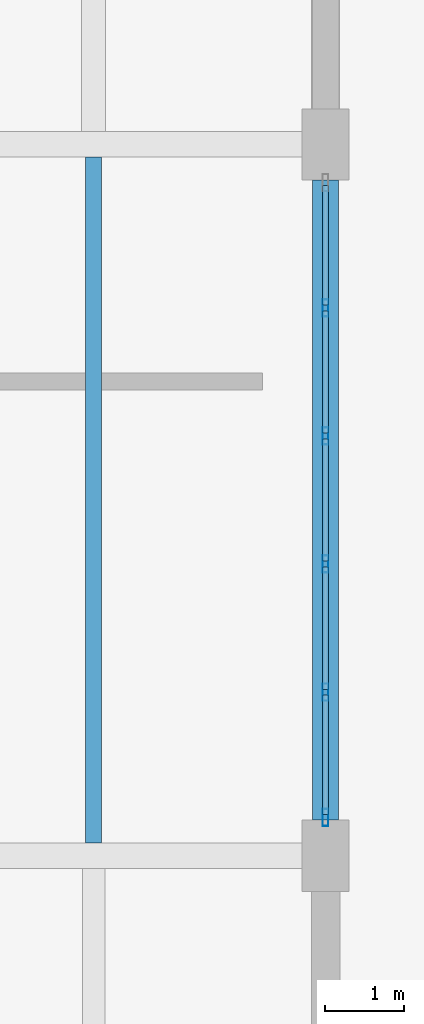
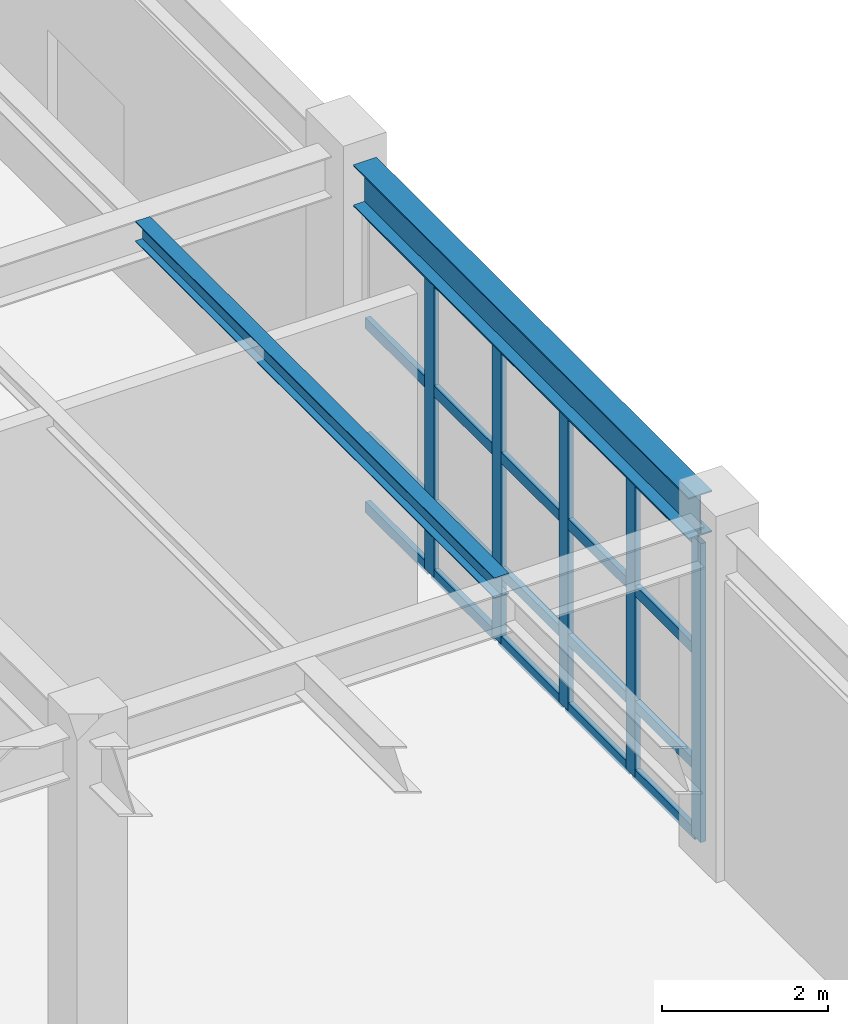
# One storey, part 52 of 91: 25 members, 2 beams, 1 element without a shape of its own.
"""IFC4 building model written with IfcOpenShell, lengths in metres."""

import ifcopenshell
import ifcopenshell.guid

model = None  # the IFC model being written
_history = None  # IfcOwnerHistory: only IFC2X3 demands one
_inside = {}  # id of a spatial element -> (the spatial element, [elements in it])
_under = {}  # id of a project, library or spatial element -> (it, [spatial elements below it])
_declared = {}  # id of a project -> (the project, [libraries it declares])
_typed = {}  # id of a type object -> (the type object, [elements of that type])
_made_of = {}  # id of a material, layer set ... -> (it, [elements and type objects made of it])


def new_model(schema):
    """Start an empty IFC model of exactly this schema.

    Asked for "IFC4X3", IfcOpenShell would pick the latest addendum, in which some entities
    have other attributes; the version numbers below select the first issue.
    IFC2X3 requires an IfcOwnerHistory on every rooted entity: one is made here for all.
    """
    global model, _history
    if schema == "IFC4X3":
        model = ifcopenshell.file(schema_version=(4, 3, 0, 0))
    else:
        model = ifcopenshell.file(schema=schema)
    _inside.clear()
    _under.clear()
    _declared.clear()
    _typed.clear()
    _made_of.clear()
    _history = None
    if model.schema == "IFC2X3":
        org = make("IfcOrganization", Name="unknown")
        user = make(
            "IfcPersonAndOrganization",
            ThePerson=make("IfcPerson", FamilyName="unknown"),
            TheOrganization=org,
        )
        app = make(
            "IfcApplication",
            ApplicationDeveloper=org,
            Version="unknown",
            ApplicationFullName="unknown",
            ApplicationIdentifier="unknown",
        )
        _history = make(
            "IfcOwnerHistory",
            OwningUser=user,
            OwningApplication=app,
            ChangeAction="ADDED",
            CreationDate=0,
        )
    return model


def make(cls, **values):
    """One entity of the class cls with the attributes given. An attribute that is None is left unset."""
    return model.create_entity(
        cls, **{name: value for name, value in values.items() if value is not None}
    )


def rooted(cls, **values):
    """An entity with a GlobalId (a new one), such as an element, a storey or a relation."""
    return make(cls, GlobalId=ifcopenshell.guid.new(), OwnerHistory=_history, **values)


def si_unit(unit_type, name, prefix=None):
    """IfcSIUnit, for example si_unit("LENGTHUNIT", "METRE", prefix="MILLI")."""
    return make("IfcSIUnit", UnitType=unit_type, Prefix=prefix, Name=name)


def assignment(units):
    """IfcUnitAssignment: the units of a project."""
    return None if units is None else make("IfcUnitAssignment", Units=units)


def point(xyz):
    """IfcCartesianPoint."""
    return None if xyz is None else make("IfcCartesianPoint", Coordinates=xyz)


def direction(xyz):
    """IfcDirection."""
    return None if xyz is None else make("IfcDirection", DirectionRatios=xyz)


def frame(location, z_axis=None, x_axis=None):
    """IfcAxis2Placement3D, a coordinate frame: its origin and axes. An axis left out is left unset."""
    return make(
        "IfcAxis2Placement3D",
        Location=point(location),
        Axis=direction(z_axis),
        RefDirection=direction(x_axis),
    )


def frame_2d(location, x_axis=None):
    """IfcAxis2Placement2D, a coordinate frame in the plane: its origin and x axis."""
    return make(
        "IfcAxis2Placement2D", Location=point(location), RefDirection=direction(x_axis)
    )


def origin():
    """The frame at (0, 0, 0) with its axes left unset."""
    return frame((0.0, 0.0, 0.0))


def origin_2d():
    """The frame at (0, 0) in the plane with its x axis left unset."""
    return frame_2d((0.0, 0.0))


def place(relative_to, where):
    """IfcLocalPlacement: puts the frame where relative to a parent placement (None: the world)."""
    return make(
        "IfcLocalPlacement", PlacementRelTo=relative_to, RelativePlacement=where
    )


def context(
    kind, dimensions, precision=None, world=None, true_north=None, identifier=None
):
    """IfcGeometricRepresentationContext, for example the 3D "Model" context."""
    return make(
        "IfcGeometricRepresentationContext",
        ContextIdentifier=identifier,
        ContextType=kind,
        CoordinateSpaceDimension=dimensions,
        Precision=precision,
        WorldCoordinateSystem=world,
        TrueNorth=true_north,
    )


def subcontext(parent, identifier, kind, view, scale=None):
    """IfcGeometricRepresentationSubContext, for example "Body" below "Model"."""
    return make(
        "IfcGeometricRepresentationSubContext",
        ContextIdentifier=identifier,
        ContextType=kind,
        ParentContext=parent,
        TargetScale=scale,
        TargetView=view,
    )


def project(units=None, contexts=None):
    """IfcProject with its units and contexts."""
    return rooted(
        "IfcProject",
        Name="project",
        RepresentationContexts=contexts,
        UnitsInContext=assignment(units),
    )


def spatial(cls, under=None, at=None, **own):
    """A site, building, storey or space (cls), placed at a placement, below another one or the project."""
    s = rooted(cls, ObjectPlacement=at, **own)
    if under is not None:
        _under.setdefault(under.id(), (under, []))[1].append(s)
    return s


def profile(cls, at=None, kind="AREA", **sizes):
    """A parametric profile (cls). Its sizes go by their IFC names, for example OverallWidth=200.0."""
    return make(cls, ProfileType=kind, Position=at, **sizes)


def hollow_rectangle(**sizes):
    """IfcRectangleHollowProfileDef."""
    return profile("IfcRectangleHollowProfileDef", **sizes)


def i_section(**sizes):
    """IfcIShapeProfileDef."""
    return profile("IfcIShapeProfileDef", **sizes)


def extrude(swept, where, along, depth):
    """IfcExtrudedAreaSolid: the profile swept, set in the frame where, extruded along a direction by depth."""
    return make(
        "IfcExtrudedAreaSolid",
        SweptArea=swept,
        Position=where,
        ExtrudedDirection=direction(along),
        Depth=depth,
    )


def shape(context_of_items, identifier, shape_type, items):
    """IfcShapeRepresentation: the items that make up one representation, for example the "Body"."""
    return make(
        "IfcShapeRepresentation",
        ContextOfItems=context_of_items,
        RepresentationIdentifier=identifier,
        RepresentationType=shape_type,
        Items=items,
    )


def material(Name=None, Category=None):
    """IfcMaterial."""
    return make("IfcMaterial", Name=Name, Category=Category)


def layer(
    of_material, thickness, ventilated=None, Name=None, Category=None, Priority=None
):
    """IfcMaterialLayer: one layer of a wall or slab, of a material (None: an air gap)."""
    return make(
        "IfcMaterialLayer",
        Material=of_material,
        LayerThickness=thickness,
        IsVentilated=ventilated,
        Name=Name,
        Category=Category,
        Priority=Priority,
    )


def layer_set(layers, Name=None):
    """IfcMaterialLayerSet."""
    return make("IfcMaterialLayerSet", MaterialLayers=layers, LayerSetName=Name)


def material_profile(
    of_material, cross_section, Name=None, Category=None, Priority=None
):
    """IfcMaterialProfile: a cross section and its material."""
    return make(
        "IfcMaterialProfile",
        Name=Name,
        Material=of_material,
        Profile=cross_section,
        Priority=Priority,
        Category=Category,
    )


def profile_set(profiles, Name=None, composite=None):
    """IfcMaterialProfileSet."""
    return make(
        "IfcMaterialProfileSet",
        Name=Name,
        MaterialProfiles=profiles,
        CompositeProfile=composite,
    )


def made_of(thing, what):
    """Note that an element or type object is made of a material, layer set ...; save() writes the relation."""
    if what is not None:
        _made_of.setdefault(what.id(), (what, []))[1].append(thing)
    return thing


def type_object(cls, material=None, **own):
    """A type object (cls), such as IfcWallType, which elements share."""
    return made_of(rooted(cls, **own), material)


def element(
    cls,
    number,
    at=None,
    inside=None,
    cuts=None,
    type_object=None,
    material=None,
    context=None,
    identifier="Body",
    shape_type=None,
    held_by="IfcProductDefinitionShape",
    body=None,
    shapes=None,
    **own,
):
    """One element of the class cls, such as IfcWall. Its Tag is "e" and its number.

    at: its placement. inside: the storey or other place that contains it. cuts: it is an
    opening in that element (IfcRelVoidsElement). A single representation is given by context,
    identifier, shape_type and body (its items); several are given by shapes. held_by: the class
    of the entity that holds the representations. save() writes the other relations.
    """
    e = rooted(cls, Tag="e%d" % number, ObjectPlacement=at, **own)
    if body is not None:
        shapes = [shape(context, identifier, shape_type, body)]
    if shapes is not None:
        e.Representation = make(held_by, Representations=shapes)
    if inside is not None:
        _inside.setdefault(inside.id(), (inside, []))[1].append(e)
    if cuts is not None:
        rooted(
            "IfcRelVoidsElement", RelatingBuildingElement=cuts, RelatedOpeningElement=e
        )
    if type_object is not None:
        _typed.setdefault(type_object.id(), (type_object, []))[1].append(e)
    return made_of(e, material)


def aggregate(whole, parts):
    """IfcRelAggregates: a whole, such as a stair, and the parts it consists of."""
    return rooted("IfcRelAggregates", RelatingObject=whole, RelatedObjects=parts)


def save(model, path):
    """Write the relations noted so far, then the file.

    IfcRelAggregates (storeys below a building ...), IfcRelContainedInSpatialStructure (elements
    in a storey), IfcRelDefinesByType, IfcRelAssociatesMaterial and IfcRelDeclares: one each for
    every whole, place, type object, material and project.
    """
    for whole, parts in _under.values():
        aggregate(whole, parts)
    for where, things in _inside.values():
        rooted(
            "IfcRelContainedInSpatialStructure",
            RelatedElements=things,
            RelatingStructure=where,
        )
    for kind, things in _typed.values():
        rooted("IfcRelDefinesByType", RelatedObjects=things, RelatingType=kind)
    for what, things in _made_of.values():
        rooted("IfcRelAssociatesMaterial", RelatedObjects=things, RelatingMaterial=what)
    for by, libraries in _declared.values():
        rooted("IfcRelDeclares", RelatingContext=by, RelatedDefinitions=libraries)
    model.write(path)


model = new_model("IFC4")

# Units and contexts
model_context = context("Model", 3, precision=1e-05, world=origin(), true_north=direction((0.0, 1.0)))
body_context = subcontext(model_context, "Body", "Model", "MODEL_VIEW")
ifc_project = project(units=[si_unit("LENGTHUNIT", "METRE"), si_unit("AREAUNIT", "SQUARE_METRE"), si_unit("VOLUMEUNIT", "CUBIC_METRE"), si_unit("PLANEANGLEUNIT", "RADIAN"), si_unit("MASSUNIT", "GRAM", prefix="KILO")], contexts=[model_context])

# Site, building, storey
site_placement = place(None, origin())
site = spatial("IfcSite", under=ifc_project, at=site_placement, CompositionType="ELEMENT")
building_placement = place(site_placement, origin())
building = spatial("IfcBuilding", under=site, at=building_placement, Name="Vaelkrest Opera House", CompositionType="ELEMENT")
storey_placement = place(building_placement, origin())
storey = spatial("IfcBuildingStorey", under=building, at=storey_placement, Name="L00", CompositionType="ELEMENT", Elevation=0.0)

# Curtain wall, members
ifc_material_1 = material(Name="Dark bronze anodized aluminium", Category="aluminium")
ifc_layer = layer(ifc_material_1, 0.199951171875)
ifc_layer_set = layer_set([ifc_layer], Name="Dark bronze anodized aluminium")
curtain_wall_type = type_object("IfcCurtainWallType", Name="CW03", PredefinedType="NOTDEFINED", material=ifc_layer_set)
curtain_wall_placement = place(storey_placement, origin())
curtain_wall = element("IfcCurtainWall", 1, at=curtain_wall_placement, inside=storey, type_object=curtain_wall_type, Name="Curtain wall CW-L00-153", PredefinedType="NOTDEFINED")
ifc_material_profile_1 = material_profile(ifc_material_1, hollow_rectangle(XDim=0.074951171875, YDim=0.219970703125, WallThickness=0.00439453125, at=origin_2d()), Name="CWM75X220")
ifc_profile_set_1 = profile_set([ifc_material_profile_1], Name="Dark bronze anodized aluminium")
member_type_1 = type_object("IfcMemberType", Name="CWM03", PredefinedType="MULLION", material=ifc_profile_set_1)
member_1_placement = place(storey_placement, frame((86.39990234375, -21.868896484375, 0.0), z_axis=(0.0, 0.0, 1.0), x_axis=(1.0, 0.0, 0.0)))
member_1 = element("IfcMember", 2, at=member_1_placement, type_object=member_type_1, Name="CW03 mullion 2", PredefinedType="MULLION", context=body_context, shape_type="SweptSolid", body=[
    extrude(hollow_rectangle(XDim=0.074951171875, YDim=0.219970703125, WallThickness=0.00439453125, at=origin_2d()), origin(), (0.0, 0.0, 1.0), 4.404052734375),
])
member_2_placement = place(storey_placement, frame((86.39990234375, -23.489501953125, 0.0), z_axis=(0.0, 0.0, 1.0), x_axis=(1.0, 0.0, 0.0)))
member_2 = element("IfcMember", 3, at=member_2_placement, type_object=member_type_1, Name="CW03 mullion 3", PredefinedType="MULLION", context=body_context, shape_type="SweptSolid", body=[
    extrude(hollow_rectangle(XDim=0.074951171875, YDim=0.219970703125, WallThickness=0.00439453125, at=origin_2d()), origin(), (0.0, 0.0, 1.0), 4.404052734375),
])
member_3_placement = place(storey_placement, frame((86.39990234375, -25.1103515625, 0.0), z_axis=(0.0, 0.0, 1.0), x_axis=(1.0, 0.0, 0.0)))
member_3 = element("IfcMember", 4, at=member_3_placement, type_object=member_type_1, Name="CW03 mullion 4", PredefinedType="MULLION", context=body_context, shape_type="SweptSolid", body=[
    extrude(hollow_rectangle(XDim=0.074951171875, YDim=0.219970703125, WallThickness=0.00439453125, at=origin_2d()), origin(), (0.0, 0.0, 1.0), 4.404052734375),
])
member_4_placement = place(storey_placement, frame((86.39990234375, -26.731201171875, 0.0), z_axis=(0.0, 0.0, 1.0), x_axis=(1.0, 0.0, 0.0)))
member_4 = element("IfcMember", 5, at=member_4_placement, type_object=member_type_1, Name="CW03 mullion 5", PredefinedType="MULLION", context=body_context, shape_type="SweptSolid", body=[
    extrude(hollow_rectangle(XDim=0.074951171875, YDim=0.219970703125, WallThickness=0.00439453125, at=origin_2d()), origin(), (0.0, 0.0, 1.0), 4.404052734375),
])
member_5_placement = place(storey_placement, frame((86.39990234375, -28.314453125, 0.0), z_axis=(0.0, 0.0, 1.0), x_axis=(1.0, 0.0, 0.0)))
member_5 = element("IfcMember", 6, at=member_5_placement, type_object=member_type_1, Name="CW03 mullion 6", PredefinedType="MULLION", context=body_context, shape_type="SweptSolid", body=[
    extrude(hollow_rectangle(XDim=0.074951171875, YDim=0.219970703125, WallThickness=0.00439453125, at=origin_2d()), origin(), (0.0, 0.0, 1.0), 4.404052734375),
])
ifc_material_profile_2 = material_profile(ifc_material_1, hollow_rectangle(XDim=0.074951171875, YDim=0.159912109375, WallThickness=0.00439453125, at=origin_2d()), Name="CWT75X160")
ifc_profile_set_2 = profile_set([ifc_material_profile_2], Name="Dark bronze anodized aluminium")
member_type_2 = type_object("IfcMemberType", Name="CWT03", PredefinedType="USERDEFINED", material=ifc_profile_set_2)
member_6_placement = place(storey_placement, frame((86.39990234375, -20.322998046875, 0.03759765625), z_axis=(0.0, -1.0, 0.0), x_axis=(1.0, 0.0, 0.0)))
member_6 = element("IfcMember", 7, at=member_6_placement, type_object=member_type_2, Name="CW03 transom 1.1", ObjectType="TRANSOM", PredefinedType="USERDEFINED", context=body_context, shape_type="SweptSolid", body=[
    extrude(hollow_rectangle(XDim=0.074951171875, YDim=0.159912109375, WallThickness=0.00439453125, at=origin_2d()), origin(), (0.0, 0.0, 1.0), 1.50830078125),
])
member_7_placement = place(storey_placement, frame((86.39990234375, -20.322998046875, 1.050048828125), z_axis=(0.0, -1.0, 0.0), x_axis=(1.0, 0.0, 0.0)))
member_7 = element("IfcMember", 8, at=member_7_placement, type_object=member_type_2, Name="CW03 transom 1.2", ObjectType="TRANSOM", PredefinedType="USERDEFINED", context=body_context, shape_type="SweptSolid", body=[
    extrude(hollow_rectangle(XDim=0.074951171875, YDim=0.159912109375, WallThickness=0.00439453125, at=origin_2d()), origin(), (0.0, 0.0, 1.0), 1.50830078125),
])
member_8_placement = place(storey_placement, frame((86.39990234375, -20.322998046875, 2.75), z_axis=(0.0, -1.0, 0.0), x_axis=(1.0, 0.0, 0.0)))
member_8 = element("IfcMember", 9, at=member_8_placement, type_object=member_type_2, Name="CW03 transom 1.3", ObjectType="TRANSOM", PredefinedType="USERDEFINED", context=body_context, shape_type="SweptSolid", body=[
    extrude(hollow_rectangle(XDim=0.074951171875, YDim=0.159912109375, WallThickness=0.00439453125, at=origin_2d()), origin(), (0.0, 0.0, 1.0), 1.50830078125),
])
member_9_placement = place(storey_placement, frame((86.39990234375, -20.322998046875, 4.366455078125), z_axis=(0.0, -1.0, 0.0), x_axis=(1.0, 0.0, 0.0)))
member_9 = element("IfcMember", 10, at=member_9_placement, type_object=member_type_2, Name="CW03 transom 1.4", ObjectType="TRANSOM", PredefinedType="USERDEFINED", context=body_context, shape_type="SweptSolid", body=[
    extrude(hollow_rectangle(XDim=0.074951171875, YDim=0.159912109375, WallThickness=0.00439453125, at=origin_2d()), origin(), (0.0, 0.0, 1.0), 1.50830078125),
])
member_10_placement = place(storey_placement, frame((86.39990234375, -21.90625, 0.03759765625), z_axis=(0.0, -1.0, 0.0), x_axis=(1.0, 0.0, 0.0)))
member_10 = element("IfcMember", 11, at=member_10_placement, type_object=member_type_2, Name="CW03 transom 2.1", ObjectType="TRANSOM", PredefinedType="USERDEFINED", context=body_context, shape_type="SweptSolid", body=[
    extrude(hollow_rectangle(XDim=0.074951171875, YDim=0.159912109375, WallThickness=0.00439453125, at=origin_2d()), origin(), (0.0, 0.0, 1.0), 1.5458984375),
])
member_11_placement = place(storey_placement, frame((86.39990234375, -21.90625, 1.050048828125), z_axis=(0.0, -1.0, 0.0), x_axis=(1.0, 0.0, 0.0)))
member_11 = element("IfcMember", 12, at=member_11_placement, type_object=member_type_2, Name="CW03 transom 2.2", ObjectType="TRANSOM", PredefinedType="USERDEFINED", context=body_context, shape_type="SweptSolid", body=[
    extrude(hollow_rectangle(XDim=0.074951171875, YDim=0.159912109375, WallThickness=0.00439453125, at=origin_2d()), origin(), (0.0, 0.0, 1.0), 1.5458984375),
])
member_12_placement = place(storey_placement, frame((86.39990234375, -21.90625, 2.75), z_axis=(0.0, -1.0, 0.0), x_axis=(1.0, 0.0, 0.0)))
member_12 = element("IfcMember", 13, at=member_12_placement, type_object=member_type_2, Name="CW03 transom 2.3", ObjectType="TRANSOM", PredefinedType="USERDEFINED", context=body_context, shape_type="SweptSolid", body=[
    extrude(hollow_rectangle(XDim=0.074951171875, YDim=0.159912109375, WallThickness=0.00439453125, at=origin_2d()), origin(), (0.0, 0.0, 1.0), 1.5458984375),
])
member_13_placement = place(storey_placement, frame((86.39990234375, -21.90625, 4.366455078125), z_axis=(0.0, -1.0, 0.0), x_axis=(1.0, 0.0, 0.0)))
member_13 = element("IfcMember", 14, at=member_13_placement, type_object=member_type_2, Name="CW03 transom 2.4", ObjectType="TRANSOM", PredefinedType="USERDEFINED", context=body_context, shape_type="SweptSolid", body=[
    extrude(hollow_rectangle(XDim=0.074951171875, YDim=0.159912109375, WallThickness=0.00439453125, at=origin_2d()), origin(), (0.0, 0.0, 1.0), 1.5458984375),
])
member_14_placement = place(storey_placement, frame((86.39990234375, -23.527099609375, 0.03759765625), z_axis=(0.0, -1.0, 0.0), x_axis=(1.0, 0.0, 0.0)))
member_14 = element("IfcMember", 15, at=member_14_placement, type_object=member_type_2, Name="CW03 transom 3.1", ObjectType="TRANSOM", PredefinedType="USERDEFINED", context=body_context, shape_type="SweptSolid", body=[
    extrude(hollow_rectangle(XDim=0.074951171875, YDim=0.159912109375, WallThickness=0.00439453125, at=origin_2d()), origin(), (0.0, 0.0, 1.0), 1.5458984375),
])
member_15_placement = place(storey_placement, frame((86.39990234375, -23.527099609375, 1.050048828125), z_axis=(0.0, -1.0, 0.0), x_axis=(1.0, 0.0, 0.0)))
member_15 = element("IfcMember", 16, at=member_15_placement, type_object=member_type_2, Name="CW03 transom 3.2", ObjectType="TRANSOM", PredefinedType="USERDEFINED", context=body_context, shape_type="SweptSolid", body=[
    extrude(hollow_rectangle(XDim=0.074951171875, YDim=0.159912109375, WallThickness=0.00439453125, at=origin_2d()), origin(), (0.0, 0.0, 1.0), 1.5458984375),
])
member_16_placement = place(storey_placement, frame((86.39990234375, -23.527099609375, 2.75), z_axis=(0.0, -1.0, 0.0), x_axis=(1.0, 0.0, 0.0)))
member_16 = element("IfcMember", 17, at=member_16_placement, type_object=member_type_2, Name="CW03 transom 3.3", ObjectType="TRANSOM", PredefinedType="USERDEFINED", context=body_context, shape_type="SweptSolid", body=[
    extrude(hollow_rectangle(XDim=0.074951171875, YDim=0.159912109375, WallThickness=0.00439453125, at=origin_2d()), origin(), (0.0, 0.0, 1.0), 1.5458984375),
])
member_17_placement = place(storey_placement, frame((86.39990234375, -23.527099609375, 4.366455078125), z_axis=(0.0, -1.0, 0.0), x_axis=(1.0, 0.0, 0.0)))
member_17 = element("IfcMember", 18, at=member_17_placement, type_object=member_type_2, Name="CW03 transom 3.4", ObjectType="TRANSOM", PredefinedType="USERDEFINED", context=body_context, shape_type="SweptSolid", body=[
    extrude(hollow_rectangle(XDim=0.074951171875, YDim=0.159912109375, WallThickness=0.00439453125, at=origin_2d()), origin(), (0.0, 0.0, 1.0), 1.5458984375),
])
member_18_placement = place(storey_placement, frame((86.39990234375, -25.14794921875, 0.03759765625), z_axis=(0.0, -1.0, 0.0), x_axis=(1.0, 0.0, 0.0)))
member_18 = element("IfcMember", 19, at=member_18_placement, type_object=member_type_2, Name="CW03 transom 4.1", ObjectType="TRANSOM", PredefinedType="USERDEFINED", context=body_context, shape_type="SweptSolid", body=[
    extrude(hollow_rectangle(XDim=0.074951171875, YDim=0.159912109375, WallThickness=0.00439453125, at=origin_2d()), origin(), (0.0, 0.0, 1.0), 1.545654296875),
])
member_19_placement = place(storey_placement, frame((86.39990234375, -25.14794921875, 1.050048828125), z_axis=(0.0, -1.0, 0.0), x_axis=(1.0, 0.0, 0.0)))
member_19 = element("IfcMember", 20, at=member_19_placement, type_object=member_type_2, Name="CW03 transom 4.2", ObjectType="TRANSOM", PredefinedType="USERDEFINED", context=body_context, shape_type="SweptSolid", body=[
    extrude(hollow_rectangle(XDim=0.074951171875, YDim=0.159912109375, WallThickness=0.00439453125, at=origin_2d()), origin(), (0.0, 0.0, 1.0), 1.545654296875),
])
member_20_placement = place(storey_placement, frame((86.39990234375, -25.14794921875, 2.75), z_axis=(0.0, -1.0, 0.0), x_axis=(1.0, 0.0, 0.0)))
member_20 = element("IfcMember", 21, at=member_20_placement, type_object=member_type_2, Name="CW03 transom 4.3", ObjectType="TRANSOM", PredefinedType="USERDEFINED", context=body_context, shape_type="SweptSolid", body=[
    extrude(hollow_rectangle(XDim=0.074951171875, YDim=0.159912109375, WallThickness=0.00439453125, at=origin_2d()), origin(), (0.0, 0.0, 1.0), 1.545654296875),
])
member_21_placement = place(storey_placement, frame((86.39990234375, -25.14794921875, 4.366455078125), z_axis=(0.0, -1.0, 0.0), x_axis=(1.0, 0.0, 0.0)))
member_21 = element("IfcMember", 22, at=member_21_placement, type_object=member_type_2, Name="CW03 transom 4.4", ObjectType="TRANSOM", PredefinedType="USERDEFINED", context=body_context, shape_type="SweptSolid", body=[
    extrude(hollow_rectangle(XDim=0.074951171875, YDim=0.159912109375, WallThickness=0.00439453125, at=origin_2d()), origin(), (0.0, 0.0, 1.0), 1.545654296875),
])
member_22_placement = place(storey_placement, frame((86.39990234375, -26.768798828125, 0.03759765625), z_axis=(0.0, -1.0, 0.0), x_axis=(1.0, 0.0, 0.0)))
member_22 = element("IfcMember", 23, at=member_22_placement, type_object=member_type_2, Name="CW03 transom 5.1", ObjectType="TRANSOM", PredefinedType="USERDEFINED", context=body_context, shape_type="SweptSolid", body=[
    extrude(hollow_rectangle(XDim=0.074951171875, YDim=0.159912109375, WallThickness=0.00439453125, at=origin_2d()), origin(), (0.0, 0.0, 1.0), 1.50830078125),
])
member_23_placement = place(storey_placement, frame((86.39990234375, -26.768798828125, 1.050048828125), z_axis=(0.0, -1.0, 0.0), x_axis=(1.0, 0.0, 0.0)))
member_23 = element("IfcMember", 24, at=member_23_placement, type_object=member_type_2, Name="CW03 transom 5.2", ObjectType="TRANSOM", PredefinedType="USERDEFINED", context=body_context, shape_type="SweptSolid", body=[
    extrude(hollow_rectangle(XDim=0.074951171875, YDim=0.159912109375, WallThickness=0.00439453125, at=origin_2d()), origin(), (0.0, 0.0, 1.0), 1.50830078125),
])
member_24_placement = place(storey_placement, frame((86.39990234375, -26.768798828125, 2.75), z_axis=(0.0, -1.0, 0.0), x_axis=(1.0, 0.0, 0.0)))
member_24 = element("IfcMember", 25, at=member_24_placement, type_object=member_type_2, Name="CW03 transom 5.3", ObjectType="TRANSOM", PredefinedType="USERDEFINED", context=body_context, shape_type="SweptSolid", body=[
    extrude(hollow_rectangle(XDim=0.074951171875, YDim=0.159912109375, WallThickness=0.00439453125, at=origin_2d()), origin(), (0.0, 0.0, 1.0), 1.50830078125),
])
member_25_placement = place(storey_placement, frame((86.39990234375, -26.768798828125, 4.366455078125), z_axis=(0.0, -1.0, 0.0), x_axis=(1.0, 0.0, 0.0)))
member_25 = element("IfcMember", 26, at=member_25_placement, type_object=member_type_2, Name="CW03 transom 5.4", ObjectType="TRANSOM", PredefinedType="USERDEFINED", context=body_context, shape_type="SweptSolid", body=[
    extrude(hollow_rectangle(XDim=0.074951171875, YDim=0.159912109375, WallThickness=0.00439453125, at=origin_2d()), origin(), (0.0, 0.0, 1.0), 1.50830078125),
])
aggregate(curtain_wall, [member_1, member_2, member_3, member_4, member_5, member_6, member_7, member_8, member_9, member_10, member_11, member_12, member_13, member_14, member_15, member_16, member_17, member_18, member_19, member_20, member_21, member_22, member_23, member_24, member_25])

# Beams
ifc_material_2 = material(Name="Steel A992 Gr50", Category="steel")
ifc_material_profile_3 = material_profile(ifc_material_2, i_section(OverallWidth=0.202880859375, OverallDepth=0.302978515625, WebThickness=0.007568359375, FlangeThickness=0.01318359375, at=origin_2d()), Name="W12X40")
ifc_profile_set_3 = profile_set([ifc_material_profile_3], Name="Steel A992 Gr50")
beam_type_1 = type_object("IfcBeamType", Name="J02", PredefinedType="JOIST", material=ifc_profile_set_3)
beam_1_placement = place(storey_placement, frame((83.467041015625, -28.636474609375, 4.928466796875), z_axis=(0.0, 1.0, 0.0), x_axis=(-1.0, 0.0, 0.0)))
element("IfcBeam", 27, at=beam_1_placement, inside=storey, type_object=beam_type_1, Name="Floor joist JST-V4-L00-2102", PredefinedType="JOIST", context=body_context, shape_type="SweptSolid", body=[
    extrude(i_section(OverallWidth=0.202880859375, OverallDepth=0.302978515625, WebThickness=0.007568359375, FlangeThickness=0.01318359375, at=origin_2d()), origin(), (0.0, 0.0, 1.0), 8.674560546875),
])
ifc_material_profile_4 = material_profile(ifc_material_2, i_section(OverallWidth=0.323974609375, OverallDepth=0.611083984375, WebThickness=0.0126953125, FlangeThickness=0.01904296875, at=origin_2d()), Name="W24X104")
ifc_profile_set_4 = profile_set([ifc_material_profile_4], Name="Steel A992 Gr50")
beam_type_2 = type_object("IfcBeamType", Name="SP01", PredefinedType="SPANDREL", material=ifc_profile_set_4)
beam_2_placement = place(storey_placement, frame((86.39990234375, -28.35009765625, 4.7744140625), z_axis=(0.0, 1.0, 0.0), x_axis=(-1.0, 0.0, 0.0)))
element("IfcBeam", 28, at=beam_2_placement, inside=storey, type_object=beam_type_2, Name="Beam BM-V4-L00-2038", PredefinedType="SPANDREL", context=body_context, shape_type="SweptSolid", body=[
    extrude(i_section(OverallWidth=0.323974609375, OverallDepth=0.611083984375, WebThickness=0.0126953125, FlangeThickness=0.01904296875, at=origin_2d()), origin(), (0.0, 0.0, 1.0), 8.10009765625),
])

save(model, "model.ifc")
